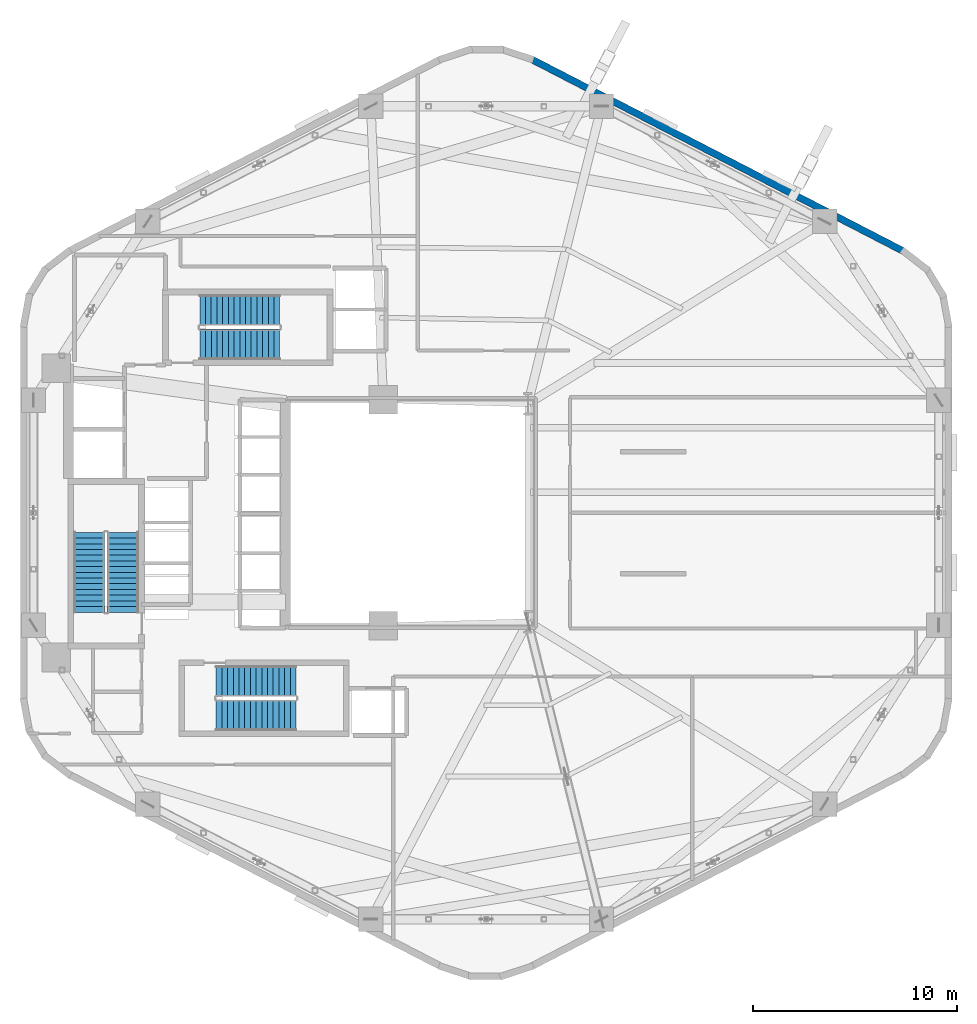
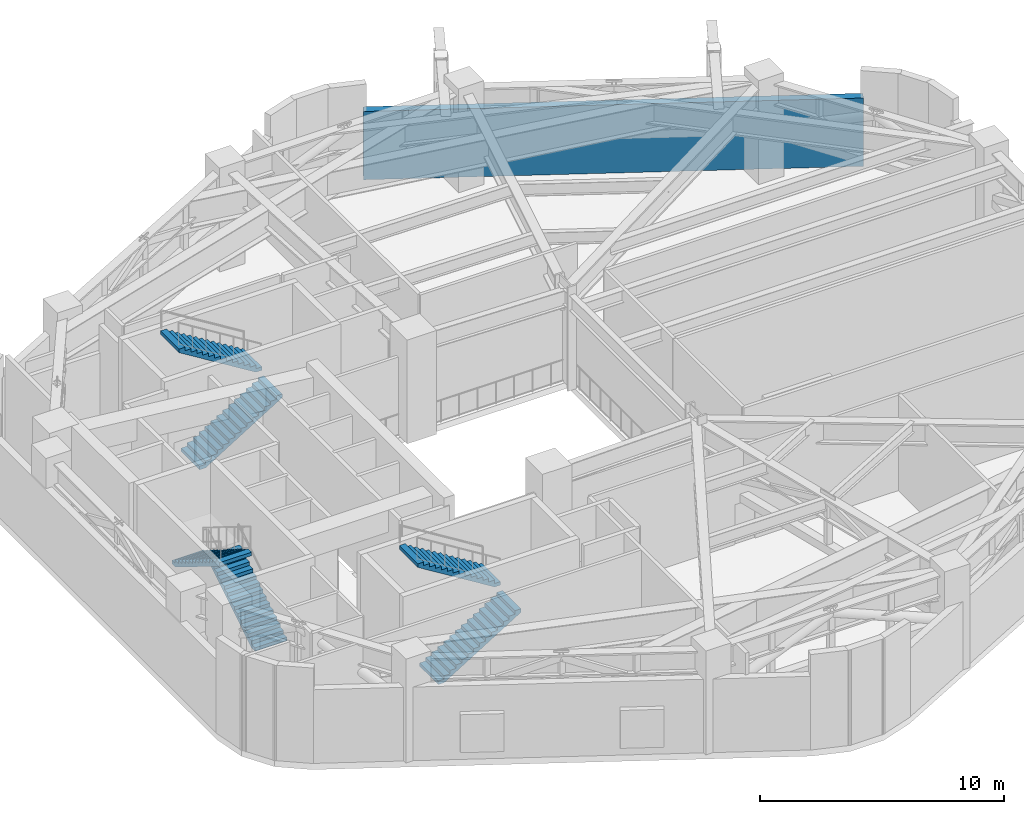
# One storey, part 12 of 14: 6 stair flights, 1 wall, 3 elements without a shape of their own.
"""IFC4 building model written with IfcOpenShell, lengths in metres."""

from ifc_helpers import new_model, si_unit, direction, frame, frame_2d, origin, place, context, subcontext, project, spatial, polyline, rectangle, outline, extrude, material, layer, layer_set, type_object, element, aggregate, save


model = new_model("IFC4")

# Units and contexts
model_context = context("Model", 3, precision=1e-05, world=origin(), true_north=direction((0.0, 1.0)))
body_context = subcontext(model_context, "Body", "Model", "MODEL_VIEW")
ifc_project = project(units=[si_unit("LENGTHUNIT", "METRE"), si_unit("AREAUNIT", "SQUARE_METRE"), si_unit("VOLUMEUNIT", "CUBIC_METRE"), si_unit("PLANEANGLEUNIT", "RADIAN"), si_unit("MASSUNIT", "GRAM", prefix="KILO"), si_unit("THERMODYNAMICTEMPERATUREUNIT", "KELVIN"), si_unit("POWERUNIT", "WATT")], contexts=[model_context])

# Site, building, storey
site_placement = place(None, origin())
site = spatial("IfcSite", under=ifc_project, at=site_placement, CompositionType="ELEMENT")
building_placement = place(site_placement, origin())
building = spatial("IfcBuilding", under=site, at=building_placement, Name="Skarre Station Tower", CompositionType="ELEMENT")
storey_placement = place(building_placement, frame((0.0, 0.0, 96.35009765625)))
storey = spatial("IfcBuildingStorey", under=building, at=storey_placement, Name="L25", CompositionType="ELEMENT", Elevation=96.35009765625)

# Wall
ifc_material_1 = material(Name="Precast concrete C45/55", Category="concrete")
ifc_layer = layer(ifc_material_1, 0.340087890625, Name="Precast concrete C45/55")
ifc_layer_set = layer_set([ifc_layer], Name="Precast concrete C45/55")
wall_type = type_object("IfcWallType", Name="Nordic Honed Precast Facet Wall 340", PredefinedType="STANDARD", material=ifc_layer_set)
wall_placement = place(storey_placement, frame((39.631103515625, 46.257080078125, 0.0), z_axis=(0.0, 0.0, 1.0), x_axis=(0.888634413993, -0.458616264721, 0.0)))
element("IfcWall", 1, at=wall_placement, inside=storey, type_object=wall_type, Name="L25 Facet 0 Nordic Precast Masonry Wall", PredefinedType="STANDARD", context=body_context, shape_type="SweptSolid", body=[
    extrude(rectangle(XDim=20.53125, YDim=0.340087890625, at=frame_2d((10.265625, 0.0))), origin(), (0.0, 0.0, 1.0), 3.419921875),
])

# Stair, stair flights
ifc_material_2 = material(Name="Concrete C40/50", Category="concrete")
stair_type_1 = type_object("IfcStairType", Name="Reinforced Concrete Exit Stair ST-1", PredefinedType="HALF_TURN_STAIR", material=ifc_material_2)
stair_1_placement = place(storey_placement, origin())
stair_1 = element("IfcStair", 2, at=stair_1_placement, inside=storey, type_object=stair_type_1, Name="L25 Core Exit Stair ST-1", PredefinedType="HALF_TURN_STAIR")
stair_flight_type_1 = type_object("IfcStairFlightType", Name="Reinforced Concrete Stair Flight ST-1", PredefinedType="STRAIGHT", material=ifc_material_2)
stair_flight_1_placement = place(storey_placement, frame((19.590087890625, 19.1201171875, 0.0), z_axis=(0.0, 0.0, 1.0), x_axis=(0.0, 1.0, 0.0)))
stair_flight_1 = element("IfcStairFlight", 3, at=stair_flight_1_placement, type_object=stair_flight_type_1, Name="ST-1 flight 1", NumberOfRisers=15, NumberOfTreads=14, PredefinedType="STRAIGHT", RiserHeight=0.173333333, TreadLength=0.28, context=body_context, shape_type="SweptSolid", body=[
    extrude(outline(polyline([(0.0, 0.0), (0.0, 0.17333984375), (0.280029296875, 0.17333984375), (0.280029296875, 0.3466796875), (0.56005859375, 0.3466796875), (0.56005859375, 0.52001953125), (0.840087890625, 0.52001953125), (0.840087890625, 0.693359375), (1.1201171875, 0.693359375), (1.1201171875, 0.86669921875), (1.39990234375, 0.86669921875), (1.39990234375, 1.0400390625), (1.679931640625, 1.0400390625), (1.679931640625, 1.21337890625), (1.9599609375, 1.21337890625), (1.9599609375, 1.38671875), (2.239990234375, 1.38671875), (2.239990234375, 1.56005859375), (2.52001953125, 1.56005859375), (2.52001953125, 1.7333984375), (2.800048828125, 1.7333984375), (2.800048828125, 1.90673828125), (3.080078125, 1.90673828125), (3.080078125, 2.080078125), (3.360107421875, 2.080078125), (3.360107421875, 2.25341796875), (3.639892578125, 2.25341796875), (3.639892578125, 2.4267578125), (3.919921875, 2.4267578125), (3.919921875, 2.60009765625), (3.919921875, 2.250244140625), (0.284912109375, 0.0), (0.0, 0.0)])), frame((0.0, 0.760009765625, 0.0), z_axis=(0.0, -1.0, 0.0), x_axis=(1.0, 0.0, 0.0)), (0.0, 0.0, 1.0), 1.52001953125),
])
stair_flight_2_placement = place(storey_placement, frame((17.909912109375, 23.0400390625, 2.599853515625), z_axis=(0.0, 0.0, 1.0), x_axis=(0.0, -1.0, 0.0)))
stair_flight_2 = element("IfcStairFlight", 4, at=stair_flight_2_placement, type_object=stair_flight_type_1, Name="ST-1 flight 2", NumberOfRisers=15, NumberOfTreads=14, PredefinedType="STRAIGHT", RiserHeight=0.173333333, TreadLength=0.28, context=body_context, shape_type="SweptSolid", body=[
    extrude(outline(polyline([(0.0, 0.0), (0.0, 0.17333984375), (0.280029296875, 0.17333984375), (0.280029296875, 0.3466796875), (0.56005859375, 0.3466796875), (0.56005859375, 0.52001953125), (0.840087890625, 0.52001953125), (0.840087890625, 0.693359375), (1.1201171875, 0.693359375), (1.1201171875, 0.86669921875), (1.39990234375, 0.86669921875), (1.39990234375, 1.0400390625), (1.679931640625, 1.0400390625), (1.679931640625, 1.21337890625), (1.9599609375, 1.21337890625), (1.9599609375, 1.38671875), (2.239990234375, 1.38671875), (2.239990234375, 1.56005859375), (2.52001953125, 1.56005859375), (2.52001953125, 1.7333984375), (2.800048828125, 1.7333984375), (2.800048828125, 1.90673828125), (3.080078125, 1.90673828125), (3.080078125, 2.080078125), (3.360107421875, 2.080078125), (3.360107421875, 2.25341796875), (3.639892578125, 2.25341796875), (3.639892578125, 2.4267578125), (3.919921875, 2.4267578125), (3.919921875, 2.60009765625), (3.919921875, 2.250244140625), (0.284912109375, 0.0), (0.0, 0.0)])), frame((0.0, 0.760009765625, 0.0), z_axis=(0.0, -1.0, 0.0), x_axis=(1.0, 0.0, 0.0)), (0.0, 0.0, 1.0), 1.52001953125),
])
aggregate(stair_1, [stair_flight_1, stair_flight_2])

stair_type_2 = type_object("IfcStairType", Name="Reinforced Concrete Exit Stair ST-2", PredefinedType="HALF_TURN_STAIR", material=ifc_material_2)
stair_2_placement = place(storey_placement, origin())
stair_2 = element("IfcStair", 5, at=stair_2_placement, inside=storey, type_object=stair_type_2, Name="L25 Core Exit Stair ST-2", PredefinedType="HALF_TURN_STAIR")
stair_flight_type_2 = type_object("IfcStairFlightType", Name="Reinforced Concrete Stair Flight ST-2", PredefinedType="STRAIGHT", material=ifc_material_2)
stair_flight_3_placement = place(storey_placement, frame((24.14990234375, 14.06005859375, 0.0), z_axis=(0.0, 0.0, 1.0), x_axis=(1.0, 0.0, 0.0)))
stair_flight_3 = element("IfcStairFlight", 6, at=stair_flight_3_placement, type_object=stair_flight_type_2, Name="ST-2 flight 1", NumberOfRisers=15, NumberOfTreads=14, PredefinedType="STRAIGHT", RiserHeight=0.173333333, TreadLength=0.28, context=body_context, shape_type="SweptSolid", body=[
    extrude(outline(polyline([(0.0, 0.0), (0.0, 0.17333984375), (0.280029296875, 0.17333984375), (0.280029296875, 0.3466796875), (0.56005859375, 0.3466796875), (0.56005859375, 0.52001953125), (0.840087890625, 0.52001953125), (0.840087890625, 0.693359375), (1.1201171875, 0.693359375), (1.1201171875, 0.86669921875), (1.39990234375, 0.86669921875), (1.39990234375, 1.0400390625), (1.679931640625, 1.0400390625), (1.679931640625, 1.21337890625), (1.9599609375, 1.21337890625), (1.9599609375, 1.38671875), (2.239990234375, 1.38671875), (2.239990234375, 1.56005859375), (2.52001953125, 1.56005859375), (2.52001953125, 1.7333984375), (2.800048828125, 1.7333984375), (2.800048828125, 1.90673828125), (3.080078125, 1.90673828125), (3.080078125, 2.080078125), (3.360107421875, 2.080078125), (3.360107421875, 2.25341796875), (3.639892578125, 2.25341796875), (3.639892578125, 2.4267578125), (3.919921875, 2.4267578125), (3.919921875, 2.60009765625), (3.919921875, 2.250244140625), (0.284912109375, 0.0), (0.0, 0.0)])), frame((0.0, 0.760009765625, 0.0), z_axis=(0.0, -1.0, 0.0), x_axis=(1.0, 0.0, 0.0)), (0.0, 0.0, 1.0), 1.52001953125),
])
stair_flight_4_placement = place(storey_placement, frame((28.070068359375, 15.739990234375, 2.599853515625), z_axis=(0.0, 0.0, 1.0), x_axis=(-1.0, 0.0, 0.0)))
stair_flight_4 = element("IfcStairFlight", 7, at=stair_flight_4_placement, type_object=stair_flight_type_2, Name="ST-2 flight 2", NumberOfRisers=15, NumberOfTreads=14, PredefinedType="STRAIGHT", RiserHeight=0.173333333, TreadLength=0.28, context=body_context, shape_type="SweptSolid", body=[
    extrude(outline(polyline([(0.0, 0.0), (0.0, 0.17333984375), (0.280029296875, 0.17333984375), (0.280029296875, 0.3466796875), (0.56005859375, 0.3466796875), (0.56005859375, 0.52001953125), (0.840087890625, 0.52001953125), (0.840087890625, 0.693359375), (1.1201171875, 0.693359375), (1.1201171875, 0.86669921875), (1.39990234375, 0.86669921875), (1.39990234375, 1.0400390625), (1.679931640625, 1.0400390625), (1.679931640625, 1.21337890625), (1.9599609375, 1.21337890625), (1.9599609375, 1.38671875), (2.239990234375, 1.38671875), (2.239990234375, 1.56005859375), (2.52001953125, 1.56005859375), (2.52001953125, 1.7333984375), (2.800048828125, 1.7333984375), (2.800048828125, 1.90673828125), (3.080078125, 1.90673828125), (3.080078125, 2.080078125), (3.360107421875, 2.080078125), (3.360107421875, 2.25341796875), (3.639892578125, 2.25341796875), (3.639892578125, 2.4267578125), (3.919921875, 2.4267578125), (3.919921875, 2.60009765625), (3.919921875, 2.250244140625), (0.284912109375, 0.0), (0.0, 0.0)])), frame((0.0, 0.760009765625, 0.0), z_axis=(0.0, -1.0, 0.0), x_axis=(1.0, 0.0, 0.0)), (0.0, 0.0, 1.0), 1.52001953125),
])
aggregate(stair_2, [stair_flight_3, stair_flight_4])

stair_type_3 = type_object("IfcStairType", Name="Reinforced Concrete Exit Stair ST-3", PredefinedType="HALF_TURN_STAIR", material=ifc_material_2)
stair_3_placement = place(storey_placement, origin())
stair_3 = element("IfcStair", 8, at=stair_3_placement, inside=storey, type_object=stair_type_3, Name="L25 Core Exit Stair ST-3", PredefinedType="HALF_TURN_STAIR")
stair_flight_type_3 = type_object("IfcStairFlightType", Name="Reinforced Concrete Stair Flight ST-3", PredefinedType="STRAIGHT", material=ifc_material_2)
stair_flight_5_placement = place(storey_placement, frame((23.35009765625, 32.260009765625, 0.0), z_axis=(0.0, 0.0, 1.0), x_axis=(1.0, 0.0, 0.0)))
stair_flight_5 = element("IfcStairFlight", 9, at=stair_flight_5_placement, type_object=stair_flight_type_3, Name="ST-3 flight 1", NumberOfRisers=15, NumberOfTreads=14, PredefinedType="STRAIGHT", RiserHeight=0.173333333, TreadLength=0.28, context=body_context, shape_type="SweptSolid", body=[
    extrude(outline(polyline([(0.0, 0.0), (0.0, 0.17333984375), (0.280029296875, 0.17333984375), (0.280029296875, 0.3466796875), (0.56005859375, 0.3466796875), (0.56005859375, 0.52001953125), (0.840087890625, 0.52001953125), (0.840087890625, 0.693359375), (1.1201171875, 0.693359375), (1.1201171875, 0.86669921875), (1.39990234375, 0.86669921875), (1.39990234375, 1.0400390625), (1.679931640625, 1.0400390625), (1.679931640625, 1.21337890625), (1.9599609375, 1.21337890625), (1.9599609375, 1.38671875), (2.239990234375, 1.38671875), (2.239990234375, 1.56005859375), (2.52001953125, 1.56005859375), (2.52001953125, 1.7333984375), (2.800048828125, 1.7333984375), (2.800048828125, 1.90673828125), (3.080078125, 1.90673828125), (3.080078125, 2.080078125), (3.360107421875, 2.080078125), (3.360107421875, 2.25341796875), (3.639892578125, 2.25341796875), (3.639892578125, 2.4267578125), (3.919921875, 2.4267578125), (3.919921875, 2.60009765625), (3.919921875, 2.250244140625), (0.284912109375, 0.0), (0.0, 0.0)])), frame((0.0, 0.760009765625, 0.0), z_axis=(0.0, -1.0, 0.0), x_axis=(1.0, 0.0, 0.0)), (0.0, 0.0, 1.0), 1.52001953125),
])
stair_flight_6_placement = place(storey_placement, frame((27.27001953125, 33.93994140625, 2.599853515625), z_axis=(0.0, 0.0, 1.0), x_axis=(-1.0, 0.0, 0.0)))
stair_flight_6 = element("IfcStairFlight", 10, at=stair_flight_6_placement, type_object=stair_flight_type_3, Name="ST-3 flight 2", NumberOfRisers=15, NumberOfTreads=14, PredefinedType="STRAIGHT", RiserHeight=0.173333333, TreadLength=0.28, context=body_context, shape_type="SweptSolid", body=[
    extrude(outline(polyline([(0.0, 0.0), (0.0, 0.17333984375), (0.280029296875, 0.17333984375), (0.280029296875, 0.3466796875), (0.56005859375, 0.3466796875), (0.56005859375, 0.52001953125), (0.840087890625, 0.52001953125), (0.840087890625, 0.693359375), (1.1201171875, 0.693359375), (1.1201171875, 0.86669921875), (1.39990234375, 0.86669921875), (1.39990234375, 1.0400390625), (1.679931640625, 1.0400390625), (1.679931640625, 1.21337890625), (1.9599609375, 1.21337890625), (1.9599609375, 1.38671875), (2.239990234375, 1.38671875), (2.239990234375, 1.56005859375), (2.52001953125, 1.56005859375), (2.52001953125, 1.7333984375), (2.800048828125, 1.7333984375), (2.800048828125, 1.90673828125), (3.080078125, 1.90673828125), (3.080078125, 2.080078125), (3.360107421875, 2.080078125), (3.360107421875, 2.25341796875), (3.639892578125, 2.25341796875), (3.639892578125, 2.4267578125), (3.919921875, 2.4267578125), (3.919921875, 2.60009765625), (3.919921875, 2.250244140625), (0.284912109375, 0.0), (0.0, 0.0)])), frame((0.0, 0.760009765625, 0.0), z_axis=(0.0, -1.0, 0.0), x_axis=(1.0, 0.0, 0.0)), (0.0, 0.0, 1.0), 1.52001953125),
])
aggregate(stair_3, [stair_flight_5, stair_flight_6])

save(model, "model.ifc")
